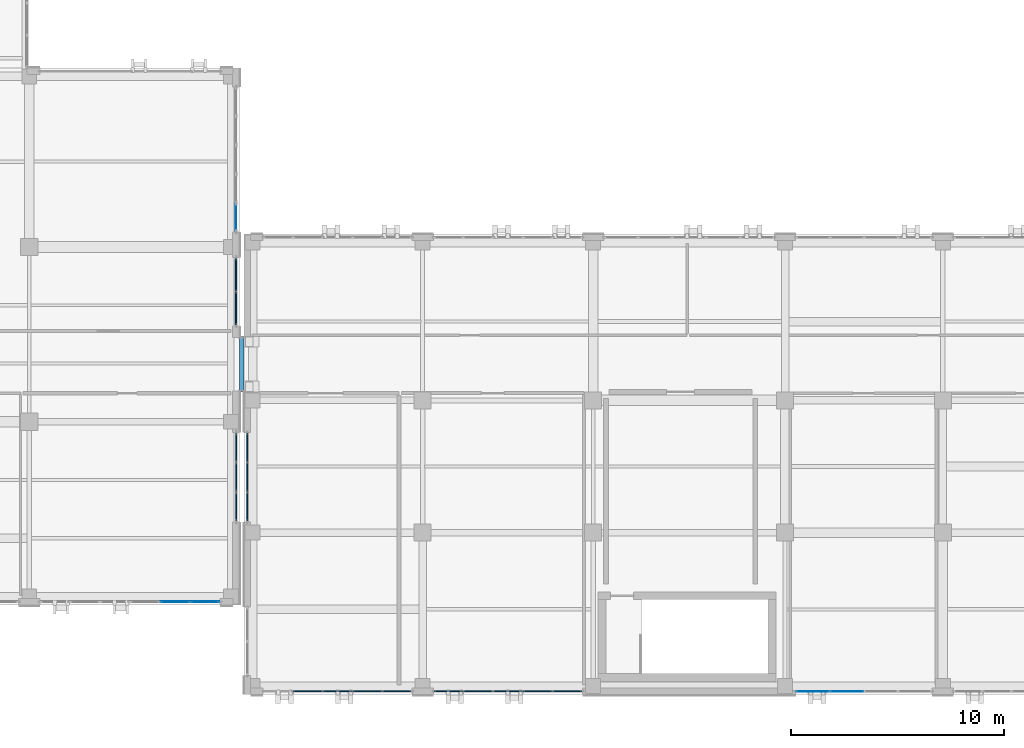
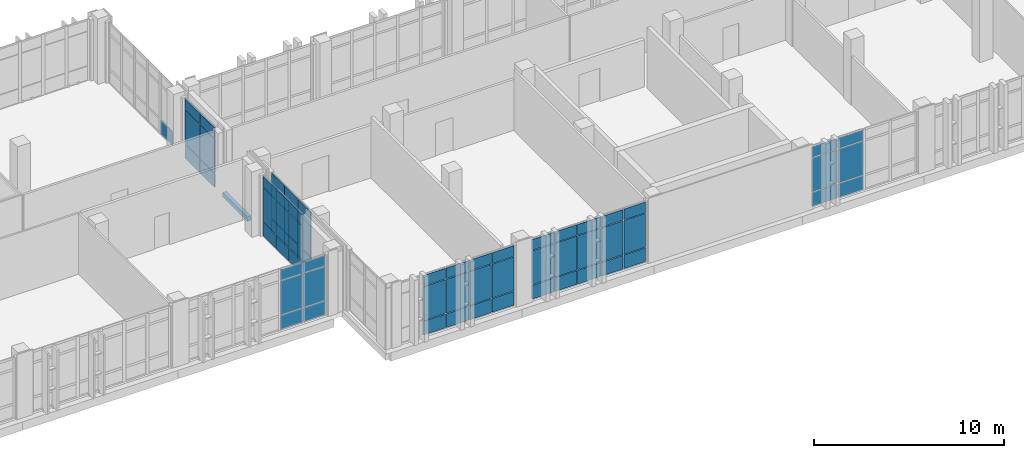
# One storey, part 138 of 193: 64 plates, 1 slab, 8 elements without a shape of their own.
"""IFC4 building model written with IfcOpenShell, lengths in metres."""

import ifcopenshell
import ifcopenshell.guid

model = None  # the IFC model being written
_history = None  # IfcOwnerHistory: only IFC2X3 demands one
_inside = {}  # id of a spatial element -> (the spatial element, [elements in it])
_under = {}  # id of a project, library or spatial element -> (it, [spatial elements below it])
_declared = {}  # id of a project -> (the project, [libraries it declares])
_typed = {}  # id of a type object -> (the type object, [elements of that type])
_made_of = {}  # id of a material, layer set ... -> (it, [elements and type objects made of it])


def new_model(schema):
    """Start an empty IFC model of exactly this schema.

    Asked for "IFC4X3", IfcOpenShell would pick the latest addendum, in which some entities
    have other attributes; the version numbers below select the first issue.
    IFC2X3 requires an IfcOwnerHistory on every rooted entity: one is made here for all.
    """
    global model, _history
    if schema == "IFC4X3":
        model = ifcopenshell.file(schema_version=(4, 3, 0, 0))
    else:
        model = ifcopenshell.file(schema=schema)
    _inside.clear()
    _under.clear()
    _declared.clear()
    _typed.clear()
    _made_of.clear()
    _history = None
    if model.schema == "IFC2X3":
        org = make("IfcOrganization", Name="unknown")
        user = make(
            "IfcPersonAndOrganization",
            ThePerson=make("IfcPerson", FamilyName="unknown"),
            TheOrganization=org,
        )
        app = make(
            "IfcApplication",
            ApplicationDeveloper=org,
            Version="unknown",
            ApplicationFullName="unknown",
            ApplicationIdentifier="unknown",
        )
        _history = make(
            "IfcOwnerHistory",
            OwningUser=user,
            OwningApplication=app,
            ChangeAction="ADDED",
            CreationDate=0,
        )
    return model


def make(cls, **values):
    """One entity of the class cls with the attributes given. An attribute that is None is left unset."""
    return model.create_entity(
        cls, **{name: value for name, value in values.items() if value is not None}
    )


def rooted(cls, **values):
    """An entity with a GlobalId (a new one), such as an element, a storey or a relation."""
    return make(cls, GlobalId=ifcopenshell.guid.new(), OwnerHistory=_history, **values)


def si_unit(unit_type, name, prefix=None):
    """IfcSIUnit, for example si_unit("LENGTHUNIT", "METRE", prefix="MILLI")."""
    return make("IfcSIUnit", UnitType=unit_type, Prefix=prefix, Name=name)


def assignment(units):
    """IfcUnitAssignment: the units of a project."""
    return None if units is None else make("IfcUnitAssignment", Units=units)


def point(xyz):
    """IfcCartesianPoint."""
    return None if xyz is None else make("IfcCartesianPoint", Coordinates=xyz)


def direction(xyz):
    """IfcDirection."""
    return None if xyz is None else make("IfcDirection", DirectionRatios=xyz)


def frame(location, z_axis=None, x_axis=None):
    """IfcAxis2Placement3D, a coordinate frame: its origin and axes. An axis left out is left unset."""
    return make(
        "IfcAxis2Placement3D",
        Location=point(location),
        Axis=direction(z_axis),
        RefDirection=direction(x_axis),
    )


def frame_2d(location, x_axis=None):
    """IfcAxis2Placement2D, a coordinate frame in the plane: its origin and x axis."""
    return make(
        "IfcAxis2Placement2D", Location=point(location), RefDirection=direction(x_axis)
    )


def origin():
    """The frame at (0, 0, 0) with its axes left unset."""
    return frame((0.0, 0.0, 0.0))


def origin_2d():
    """The frame at (0, 0) in the plane with its x axis left unset."""
    return frame_2d((0.0, 0.0))


def place(relative_to, where):
    """IfcLocalPlacement: puts the frame where relative to a parent placement (None: the world)."""
    return make(
        "IfcLocalPlacement", PlacementRelTo=relative_to, RelativePlacement=where
    )


def context(
    kind, dimensions, precision=None, world=None, true_north=None, identifier=None
):
    """IfcGeometricRepresentationContext, for example the 3D "Model" context."""
    return make(
        "IfcGeometricRepresentationContext",
        ContextIdentifier=identifier,
        ContextType=kind,
        CoordinateSpaceDimension=dimensions,
        Precision=precision,
        WorldCoordinateSystem=world,
        TrueNorth=true_north,
    )


def subcontext(parent, identifier, kind, view, scale=None):
    """IfcGeometricRepresentationSubContext, for example "Body" below "Model"."""
    return make(
        "IfcGeometricRepresentationSubContext",
        ContextIdentifier=identifier,
        ContextType=kind,
        ParentContext=parent,
        TargetScale=scale,
        TargetView=view,
    )


def project(units=None, contexts=None):
    """IfcProject with its units and contexts."""
    return rooted(
        "IfcProject",
        Name="project",
        RepresentationContexts=contexts,
        UnitsInContext=assignment(units),
    )


def spatial(cls, under=None, at=None, **own):
    """A site, building, storey or space (cls), placed at a placement, below another one or the project."""
    s = rooted(cls, ObjectPlacement=at, **own)
    if under is not None:
        _under.setdefault(under.id(), (under, []))[1].append(s)
    return s


def polyline(points):
    """IfcPolyline through the points."""
    return make("IfcPolyline", Points=[point(p) for p in points])


def profile(cls, at=None, kind="AREA", **sizes):
    """A parametric profile (cls). Its sizes go by their IFC names, for example OverallWidth=200.0."""
    return make(cls, ProfileType=kind, Position=at, **sizes)


def rectangle(**sizes):
    """IfcRectangleProfileDef."""
    return profile("IfcRectangleProfileDef", **sizes)


def outline(outer, holes=None, kind="AREA"):
    """IfcArbitraryClosedProfileDef: a profile drawn as a closed curve; with holes, ...WithVoids."""
    if holes is None:
        return make("IfcArbitraryClosedProfileDef", ProfileType=kind, OuterCurve=outer)
    return make(
        "IfcArbitraryProfileDefWithVoids",
        ProfileType=kind,
        OuterCurve=outer,
        InnerCurves=holes,
    )


def extrude(swept, where, along, depth):
    """IfcExtrudedAreaSolid: the profile swept, set in the frame where, extruded along a direction by depth."""
    return make(
        "IfcExtrudedAreaSolid",
        SweptArea=swept,
        Position=where,
        ExtrudedDirection=direction(along),
        Depth=depth,
    )


def shape(context_of_items, identifier, shape_type, items):
    """IfcShapeRepresentation: the items that make up one representation, for example the "Body"."""
    return make(
        "IfcShapeRepresentation",
        ContextOfItems=context_of_items,
        RepresentationIdentifier=identifier,
        RepresentationType=shape_type,
        Items=items,
    )


def material(Name=None, Category=None):
    """IfcMaterial."""
    return make("IfcMaterial", Name=Name, Category=Category)


def layer(
    of_material, thickness, ventilated=None, Name=None, Category=None, Priority=None
):
    """IfcMaterialLayer: one layer of a wall or slab, of a material (None: an air gap)."""
    return make(
        "IfcMaterialLayer",
        Material=of_material,
        LayerThickness=thickness,
        IsVentilated=ventilated,
        Name=Name,
        Category=Category,
        Priority=Priority,
    )


def layer_set(layers, Name=None):
    """IfcMaterialLayerSet."""
    return make("IfcMaterialLayerSet", MaterialLayers=layers, LayerSetName=Name)


def made_of(thing, what):
    """Note that an element or type object is made of a material, layer set ...; save() writes the relation."""
    if what is not None:
        _made_of.setdefault(what.id(), (what, []))[1].append(thing)
    return thing


def type_object(cls, material=None, **own):
    """A type object (cls), such as IfcWallType, which elements share."""
    return made_of(rooted(cls, **own), material)


def element(
    cls,
    number,
    at=None,
    inside=None,
    cuts=None,
    type_object=None,
    material=None,
    context=None,
    identifier="Body",
    shape_type=None,
    held_by="IfcProductDefinitionShape",
    body=None,
    shapes=None,
    **own,
):
    """One element of the class cls, such as IfcWall. Its Tag is "e" and its number.

    at: its placement. inside: the storey or other place that contains it. cuts: it is an
    opening in that element (IfcRelVoidsElement). A single representation is given by context,
    identifier, shape_type and body (its items); several are given by shapes. held_by: the class
    of the entity that holds the representations. save() writes the other relations.
    """
    e = rooted(cls, Tag="e%d" % number, ObjectPlacement=at, **own)
    if body is not None:
        shapes = [shape(context, identifier, shape_type, body)]
    if shapes is not None:
        e.Representation = make(held_by, Representations=shapes)
    if inside is not None:
        _inside.setdefault(inside.id(), (inside, []))[1].append(e)
    if cuts is not None:
        rooted(
            "IfcRelVoidsElement", RelatingBuildingElement=cuts, RelatedOpeningElement=e
        )
    if type_object is not None:
        _typed.setdefault(type_object.id(), (type_object, []))[1].append(e)
    return made_of(e, material)


def aggregate(whole, parts):
    """IfcRelAggregates: a whole, such as a stair, and the parts it consists of."""
    return rooted("IfcRelAggregates", RelatingObject=whole, RelatedObjects=parts)


def save(model, path):
    """Write the relations noted so far, then the file.

    IfcRelAggregates (storeys below a building ...), IfcRelContainedInSpatialStructure (elements
    in a storey), IfcRelDefinesByType, IfcRelAssociatesMaterial and IfcRelDeclares: one each for
    every whole, place, type object, material and project.
    """
    for whole, parts in _under.values():
        aggregate(whole, parts)
    for where, things in _inside.values():
        rooted(
            "IfcRelContainedInSpatialStructure",
            RelatedElements=things,
            RelatingStructure=where,
        )
    for kind, things in _typed.values():
        rooted("IfcRelDefinesByType", RelatedObjects=things, RelatingType=kind)
    for what, things in _made_of.values():
        rooted("IfcRelAssociatesMaterial", RelatedObjects=things, RelatingMaterial=what)
    for by, libraries in _declared.values():
        rooted("IfcRelDeclares", RelatingContext=by, RelatedDefinitions=libraries)
    model.write(path)


model = new_model("IFC4")

# Units and contexts
model_context = context("Model", 3, precision=1e-05, world=origin(), true_north=direction((0.0, 1.0)))
body_context = subcontext(model_context, "Body", "Model", "MODEL_VIEW")
ifc_project = project(units=[si_unit("LENGTHUNIT", "METRE"), si_unit("AREAUNIT", "SQUARE_METRE"), si_unit("VOLUMEUNIT", "CUBIC_METRE"), si_unit("PLANEANGLEUNIT", "RADIAN"), si_unit("MASSUNIT", "GRAM", prefix="KILO")], contexts=[model_context])

# Site, building, storey
site_placement = place(None, origin())
site = spatial("IfcSite", under=ifc_project, at=site_placement, CompositionType="ELEMENT")
building_placement = place(site_placement, origin())
building = spatial("IfcBuilding", under=site, at=building_placement, Name="Qalavern Law Courts", CompositionType="ELEMENT")
storey_placement = place(building_placement, frame((0.0, 0.0, 10.199951171875)))
storey = spatial("IfcBuildingStorey", under=building, at=storey_placement, Name="L02", CompositionType="ELEMENT", Elevation=10.199951171875)

# Curtain wall, plate
ifc_material_1 = material(Name="Anodised aluminium and insulated glazing", Category="aluminium")
ifc_layer_1 = layer(ifc_material_1, 0.18505859375)
ifc_layer_set_1 = layer_set([ifc_layer_1], Name="Anodised aluminium and insulated glazing")
curtain_wall_type_1 = type_object("IfcCurtainWallType", Name="ENV-CW-HALL", PredefinedType="USERDEFINED", material=ifc_layer_set_1)
curtain_wall_1_placement = place(storey_placement, origin())
curtain_wall_1 = element("IfcCurtainWall", 1, at=curtain_wall_1_placement, inside=storey, type_object=curtain_wall_type_1, Name="V2 unitised curtain wall L02 east 2", ObjectType="UNITISED CURTAIN WALL", PredefinedType="USERDEFINED")
ifc_material_2 = material(Name="Insulated low-E acoustic glazing", Category="glass")
ifc_layer_2 = layer(ifc_material_2, 0.02392578125)
ifc_layer_set_2 = layer_set([ifc_layer_2], Name="Insulated low-E acoustic glazing")
plate_type_1 = type_object("IfcPlateType", Name="ENV-CWP-24", PredefinedType="CURTAIN_PANEL", material=ifc_layer_set_2)
plate_1_placement = place(storey_placement, frame((101.044921875, 23.39208984375, 0.048095703125), z_axis=(0.0, 0.0, 1.0), x_axis=(0.0, 1.0, 0.0)))
plate_1 = element("IfcPlate", 2, at=plate_1_placement, type_object=plate_type_1, Name="CW-02 panel 1.1", PredefinedType="CURTAIN_PANEL", context=body_context, shape_type="SweptSolid", body=[
    extrude(rectangle(XDim=1.2880859375, YDim=0.02392578125, at=origin_2d()), origin(), (0.0, 0.0, 1.0), 0.8779296875),
])
aggregate(curtain_wall_1, [plate_1])

# Curtain wall, plates
ifc_layer_3 = layer(ifc_material_1, 0.172119140625)
ifc_layer_set_3 = layer_set([ifc_layer_3], Name="Anodised aluminium and insulated glazing")
curtain_wall_type_2 = type_object("IfcCurtainWallType", Name="ENV-CW-COURT", PredefinedType="USERDEFINED", material=ifc_layer_set_3)
curtain_wall_2_placement = place(storey_placement, origin())
curtain_wall_2 = element("IfcCurtainWall", 3, at=curtain_wall_2_placement, inside=storey, type_object=curtain_wall_type_2, Name="V6 unitised curtain wall L02 south 3", ObjectType="UNITISED CURTAIN WALL", PredefinedType="USERDEFINED")
plate_2_placement = place(storey_placement, frame((128.112060546875, 1.155029296875, 0.048095703125), z_axis=(0.0, 0.0, 1.0), x_axis=(1.0, 0.0, 0.0)))
plate_2 = element("IfcPlate", 4, at=plate_2_placement, type_object=plate_type_1, Name="CW-03 panel 1.1", PredefinedType="CURTAIN_PANEL", context=body_context, shape_type="SweptSolid", body=[
    extrude(rectangle(XDim=1.528076171875, YDim=0.02392578125, at=origin_2d()), origin(), (0.0, 0.0, 1.0), 0.8779296875),
])
plate_3_placement = place(storey_placement, frame((128.112060546875, 1.155029296875, 0.97412109375), z_axis=(0.0, 0.0, 1.0), x_axis=(1.0, 0.0, 0.0)))
plate_3 = element("IfcPlate", 5, at=plate_3_placement, type_object=plate_type_1, Name="CW-03 panel 1.2", PredefinedType="CURTAIN_PANEL", context=body_context, shape_type="SweptSolid", body=[
    extrude(rectangle(XDim=1.528076171875, YDim=0.02392578125, at=origin_2d()), origin(), (0.0, 0.0, 1.0), 2.1669921875),
])
plate_4_placement = place(storey_placement, frame((128.112060546875, 1.155029296875, 3.18896484375), z_axis=(0.0, 0.0, 1.0), x_axis=(1.0, 0.0, 0.0)))
plate_4 = element("IfcPlate", 6, at=plate_4_placement, type_object=plate_type_1, Name="CW-03 panel 1.3", PredefinedType="CURTAIN_PANEL", context=body_context, shape_type="SweptSolid", body=[
    extrude(rectangle(XDim=1.528076171875, YDim=0.02392578125, at=origin_2d()), origin(), (0.0, 0.0, 1.0), 0.677978515625),
])
plate_5_placement = place(storey_placement, frame((129.699951171875, 1.155029296875, 0.048095703125), z_axis=(0.0, 0.0, 1.0), x_axis=(1.0, 0.0, 0.0)))
plate_5 = element("IfcPlate", 7, at=plate_5_placement, type_object=plate_type_1, Name="CW-03 panel 2.1", PredefinedType="CURTAIN_PANEL", context=body_context, shape_type="SweptSolid", body=[
    extrude(rectangle(XDim=1.552001953125, YDim=0.02392578125, at=origin_2d()), origin(), (0.0, 0.0, 1.0), 0.8779296875),
])
plate_6_placement = place(storey_placement, frame((129.699951171875, 1.155029296875, 0.97412109375), z_axis=(0.0, 0.0, 1.0), x_axis=(1.0, 0.0, 0.0)))
plate_6 = element("IfcPlate", 8, at=plate_6_placement, type_object=plate_type_1, Name="CW-03 panel 2.2", PredefinedType="CURTAIN_PANEL", context=body_context, shape_type="SweptSolid", body=[
    extrude(rectangle(XDim=1.552001953125, YDim=0.02392578125, at=origin_2d()), origin(), (0.0, 0.0, 1.0), 2.1669921875),
])
plate_7_placement = place(storey_placement, frame((129.699951171875, 1.155029296875, 3.18896484375), z_axis=(0.0, 0.0, 1.0), x_axis=(1.0, 0.0, 0.0)))
plate_7 = element("IfcPlate", 9, at=plate_7_placement, type_object=plate_type_1, Name="CW-03 panel 2.3", PredefinedType="CURTAIN_PANEL", context=body_context, shape_type="SweptSolid", body=[
    extrude(rectangle(XDim=1.552001953125, YDim=0.02392578125, at=origin_2d()), origin(), (0.0, 0.0, 1.0), 0.677978515625),
])
aggregate(curtain_wall_2, [plate_2, plate_3, plate_4, plate_5, plate_6, plate_7])

curtain_wall_3_placement = place(storey_placement, origin())
curtain_wall_3 = element("IfcCurtainWall", 10, at=curtain_wall_3_placement, inside=storey, type_object=curtain_wall_type_1, Name="V2 unitised curtain wall L02 south 6", ObjectType="UNITISED CURTAIN WALL", PredefinedType="USERDEFINED")
ifc_layer_4 = layer(ifc_material_2, 0.035888671875)
ifc_layer_set_4 = layer_set([ifc_layer_4], Name="Insulated low-E acoustic glazing")
plate_type_2 = type_object("IfcPlateType", Name="ENV-CWP-36", PredefinedType="CURTAIN_PANEL", material=ifc_layer_set_4)
plate_8_placement = place(storey_placement, frame((98.1865234375, 5.35498046875, 0.048095703125), z_axis=(0.0, 0.0, 1.0), x_axis=(1.0, 0.0, 0.0)))
plate_8 = element("IfcPlate", 11, at=plate_8_placement, type_object=plate_type_2, Name="CW-02 panel 5.1", PredefinedType="CURTAIN_PANEL", context=body_context, shape_type="SweptSolid", body=[
    extrude(rectangle(XDim=1.361083984375, YDim=0.035888671875, at=origin_2d()), origin(), (0.0, 0.0, 1.0), 0.8779296875),
])
plate_9_placement = place(storey_placement, frame((98.1865234375, 5.35498046875, 0.97412109375), z_axis=(0.0, 0.0, 1.0), x_axis=(1.0, 0.0, 0.0)))
plate_9 = element("IfcPlate", 12, at=plate_9_placement, type_object=plate_type_2, Name="CW-02 panel 5.2", PredefinedType="CURTAIN_PANEL", context=body_context, shape_type="SweptSolid", body=[
    extrude(rectangle(XDim=1.361083984375, YDim=0.035888671875, at=origin_2d()), origin(), (0.0, 0.0, 1.0), 2.1669921875),
])
plate_10_placement = place(storey_placement, frame((98.1865234375, 5.35498046875, 3.18896484375), z_axis=(0.0, 0.0, 1.0), x_axis=(1.0, 0.0, 0.0)))
plate_10 = element("IfcPlate", 13, at=plate_10_placement, type_object=plate_type_2, Name="CW-02 panel 5.3", PredefinedType="CURTAIN_PANEL", context=body_context, shape_type="SweptSolid", body=[
    extrude(rectangle(XDim=1.361083984375, YDim=0.035888671875, at=origin_2d()), origin(), (0.0, 0.0, 1.0), 0.677978515625),
])
plate_11_placement = place(storey_placement, frame((99.58349609375, 5.35498046875, 0.048095703125), z_axis=(0.0, 0.0, 1.0), x_axis=(1.0, 0.0, 0.0)))
plate_11 = element("IfcPlate", 14, at=plate_11_placement, type_object=plate_type_2, Name="CW-02 panel 6.1", PredefinedType="CURTAIN_PANEL", context=body_context, shape_type="SweptSolid", body=[
    extrude(rectangle(XDim=1.337158203125, YDim=0.035888671875, at=origin_2d()), origin(), (0.0, 0.0, 1.0), 0.8779296875),
])
plate_12_placement = place(storey_placement, frame((99.58349609375, 5.35498046875, 0.97412109375), z_axis=(0.0, 0.0, 1.0), x_axis=(1.0, 0.0, 0.0)))
plate_12 = element("IfcPlate", 15, at=plate_12_placement, type_object=plate_type_2, Name="CW-02 panel 6.2", PredefinedType="CURTAIN_PANEL", context=body_context, shape_type="SweptSolid", body=[
    extrude(rectangle(XDim=1.337158203125, YDim=0.035888671875, at=origin_2d()), origin(), (0.0, 0.0, 1.0), 2.1669921875),
])
plate_13_placement = place(storey_placement, frame((99.58349609375, 5.35498046875, 3.18896484375), z_axis=(0.0, 0.0, 1.0), x_axis=(1.0, 0.0, 0.0)))
plate_13 = element("IfcPlate", 16, at=plate_13_placement, type_object=plate_type_2, Name="CW-02 panel 6.3", PredefinedType="CURTAIN_PANEL", context=body_context, shape_type="SweptSolid", body=[
    extrude(rectangle(XDim=1.337158203125, YDim=0.035888671875, at=origin_2d()), origin(), (0.0, 0.0, 1.0), 0.677978515625),
])
aggregate(curtain_wall_3, [plate_8, plate_9, plate_10, plate_11, plate_12, plate_13])

curtain_wall_4_placement = place(storey_placement, origin())
curtain_wall_4 = element("IfcCurtainWall", 17, at=curtain_wall_4_placement, inside=storey, type_object=curtain_wall_type_1, Name="V2 unitised curtain wall L02 east 1", ObjectType="UNITISED CURTAIN WALL", PredefinedType="USERDEFINED")
ifc_layer_5 = layer(ifc_material_2, 0.048095703125)
ifc_layer_set_5 = layer_set([ifc_layer_5], Name="Insulated low-E acoustic glazing")
plate_type_3 = type_object("IfcPlateType", Name="ENV-CWP-48", PredefinedType="CURTAIN_PANEL", material=ifc_layer_set_5)
plate_14_placement = place(storey_placement, frame((101.044921875, 9.81201171875, 0.048095703125), z_axis=(0.0, 0.0, 1.0), x_axis=(0.0, 1.0, 0.0)))
plate_14 = element("IfcPlate", 18, at=plate_14_placement, type_object=plate_type_3, Name="CW-02 panel 1.1", PredefinedType="CURTAIN_PANEL", context=body_context, shape_type="SweptSolid", body=[
    extrude(rectangle(XDim=1.327880859375, YDim=0.048095703125, at=origin_2d()), origin(), (0.0, 0.0, 1.0), 0.8779296875),
])
plate_15_placement = place(storey_placement, frame((101.044921875, 9.81201171875, 0.97412109375), z_axis=(0.0, 0.0, 1.0), x_axis=(0.0, 1.0, 0.0)))
plate_15 = element("IfcPlate", 19, at=plate_15_placement, type_object=plate_type_3, Name="CW-02 panel 1.2", PredefinedType="CURTAIN_PANEL", context=body_context, shape_type="SweptSolid", body=[
    extrude(rectangle(XDim=1.327880859375, YDim=0.048095703125, at=origin_2d()), origin(), (0.0, 0.0, 1.0), 2.1669921875),
])
plate_16_placement = place(storey_placement, frame((101.044921875, 9.81201171875, 3.18896484375), z_axis=(0.0, 0.0, 1.0), x_axis=(0.0, 1.0, 0.0)))
plate_16 = element("IfcPlate", 20, at=plate_16_placement, type_object=plate_type_3, Name="CW-02 panel 1.3", PredefinedType="CURTAIN_PANEL", context=body_context, shape_type="SweptSolid", body=[
    extrude(rectangle(XDim=1.327880859375, YDim=0.048095703125, at=origin_2d()), origin(), (0.0, 0.0, 1.0), 0.677978515625),
])
plate_17_placement = place(storey_placement, frame((101.044921875, 11.199951171875, 0.048095703125), z_axis=(0.0, 0.0, 1.0), x_axis=(0.0, 1.0, 0.0)))
plate_17 = element("IfcPlate", 21, at=plate_17_placement, type_object=plate_type_3, Name="CW-02 panel 2.1", PredefinedType="CURTAIN_PANEL", context=body_context, shape_type="SweptSolid", body=[
    extrude(rectangle(XDim=1.35205078125, YDim=0.048095703125, at=origin_2d()), origin(), (0.0, 0.0, 1.0), 0.8779296875),
])
plate_18_placement = place(storey_placement, frame((101.044921875, 11.199951171875, 0.97412109375), z_axis=(0.0, 0.0, 1.0), x_axis=(0.0, 1.0, 0.0)))
plate_18 = element("IfcPlate", 22, at=plate_18_placement, type_object=plate_type_3, Name="CW-02 panel 2.2", PredefinedType="CURTAIN_PANEL", context=body_context, shape_type="SweptSolid", body=[
    extrude(rectangle(XDim=1.35205078125, YDim=0.048095703125, at=origin_2d()), origin(), (0.0, 0.0, 1.0), 2.1669921875),
])
plate_19_placement = place(storey_placement, frame((101.044921875, 11.199951171875, 3.18896484375), z_axis=(0.0, 0.0, 1.0), x_axis=(0.0, 1.0, 0.0)))
plate_19 = element("IfcPlate", 23, at=plate_19_placement, type_object=plate_type_3, Name="CW-02 panel 2.3", PredefinedType="CURTAIN_PANEL", context=body_context, shape_type="SweptSolid", body=[
    extrude(rectangle(XDim=1.35205078125, YDim=0.048095703125, at=origin_2d()), origin(), (0.0, 0.0, 1.0), 0.677978515625),
])
plate_20_placement = place(storey_placement, frame((101.044921875, 12.587890625, 0.048095703125), z_axis=(0.0, 0.0, 1.0), x_axis=(0.0, 1.0, 0.0)))
plate_20 = element("IfcPlate", 24, at=plate_20_placement, type_object=plate_type_3, Name="CW-02 panel 3.1", PredefinedType="CURTAIN_PANEL", context=body_context, shape_type="SweptSolid", body=[
    extrude(rectangle(XDim=1.327880859375, YDim=0.048095703125, at=origin_2d()), origin(), (0.0, 0.0, 1.0), 0.8779296875),
])
plate_21_placement = place(storey_placement, frame((101.044921875, 12.587890625, 0.97412109375), z_axis=(0.0, 0.0, 1.0), x_axis=(0.0, 1.0, 0.0)))
plate_21 = element("IfcPlate", 25, at=plate_21_placement, type_object=plate_type_3, Name="CW-02 panel 3.2", PredefinedType="CURTAIN_PANEL", context=body_context, shape_type="SweptSolid", body=[
    extrude(rectangle(XDim=1.327880859375, YDim=0.048095703125, at=origin_2d()), origin(), (0.0, 0.0, 1.0), 2.1669921875),
])
plate_22_placement = place(storey_placement, frame((101.044921875, 12.587890625, 3.18896484375), z_axis=(0.0, 0.0, 1.0), x_axis=(0.0, 1.0, 0.0)))
plate_22 = element("IfcPlate", 26, at=plate_22_placement, type_object=plate_type_3, Name="CW-02 panel 3.3", PredefinedType="CURTAIN_PANEL", context=body_context, shape_type="SweptSolid", body=[
    extrude(rectangle(XDim=1.327880859375, YDim=0.048095703125, at=origin_2d()), origin(), (0.0, 0.0, 1.0), 0.677978515625),
])
aggregate(curtain_wall_4, [plate_14, plate_15, plate_16, plate_17, plate_18, plate_19, plate_20, plate_21, plate_22])

curtain_wall_5_placement = place(storey_placement, origin())
curtain_wall_5 = element("IfcCurtainWall", 27, at=curtain_wall_5_placement, inside=storey, type_object=curtain_wall_type_2, Name="V6 unitised curtain wall L02 south 1", ObjectType="UNITISED CURTAIN WALL", PredefinedType="USERDEFINED")
plate_23_placement = place(storey_placement, frame((104.4140625, 1.155029296875, 0.048095703125), z_axis=(0.0, 0.0, 1.0), x_axis=(1.0, 0.0, 0.0)))
plate_23 = element("IfcPlate", 28, at=plate_23_placement, type_object=plate_type_3, Name="CW-03 panel 2.1", PredefinedType="CURTAIN_PANEL", context=body_context, shape_type="SweptSolid", body=[
    extrude(rectangle(XDim=1.347900390625, YDim=0.048095703125, at=origin_2d()), origin(), (0.0, 0.0, 1.0), 0.8779296875),
])
plate_24_placement = place(storey_placement, frame((104.4140625, 1.155029296875, 0.97412109375), z_axis=(0.0, 0.0, 1.0), x_axis=(1.0, 0.0, 0.0)))
plate_24 = element("IfcPlate", 29, at=plate_24_placement, type_object=plate_type_3, Name="CW-03 panel 2.2", PredefinedType="CURTAIN_PANEL", context=body_context, shape_type="SweptSolid", body=[
    extrude(rectangle(XDim=1.347900390625, YDim=0.048095703125, at=origin_2d()), origin(), (0.0, 0.0, 1.0), 2.1669921875),
])
plate_25_placement = place(storey_placement, frame((104.4140625, 1.155029296875, 3.18896484375), z_axis=(0.0, 0.0, 1.0), x_axis=(1.0, 0.0, 0.0)))
plate_25 = element("IfcPlate", 30, at=plate_25_placement, type_object=plate_type_3, Name="CW-03 panel 2.3", PredefinedType="CURTAIN_PANEL", context=body_context, shape_type="SweptSolid", body=[
    extrude(rectangle(XDim=1.347900390625, YDim=0.048095703125, at=origin_2d()), origin(), (0.0, 0.0, 1.0), 0.677978515625),
])
plate_26_placement = place(storey_placement, frame((105.81005859375, 1.155029296875, 0.048095703125), z_axis=(0.0, 0.0, 1.0), x_axis=(1.0, 0.0, 0.0)))
plate_26 = element("IfcPlate", 31, at=plate_26_placement, type_object=plate_type_3, Name="CW-03 panel 3.1", PredefinedType="CURTAIN_PANEL", context=body_context, shape_type="SweptSolid", body=[
    extrude(rectangle(XDim=1.347900390625, YDim=0.048095703125, at=origin_2d()), origin(), (0.0, 0.0, 1.0), 0.8779296875),
])
plate_27_placement = place(storey_placement, frame((105.81005859375, 1.155029296875, 0.97412109375), z_axis=(0.0, 0.0, 1.0), x_axis=(1.0, 0.0, 0.0)))
plate_27 = element("IfcPlate", 32, at=plate_27_placement, type_object=plate_type_3, Name="CW-03 panel 3.2", PredefinedType="CURTAIN_PANEL", context=body_context, shape_type="SweptSolid", body=[
    extrude(rectangle(XDim=1.347900390625, YDim=0.048095703125, at=origin_2d()), origin(), (0.0, 0.0, 1.0), 2.1669921875),
])
plate_28_placement = place(storey_placement, frame((105.81005859375, 1.155029296875, 3.18896484375), z_axis=(0.0, 0.0, 1.0), x_axis=(1.0, 0.0, 0.0)))
plate_28 = element("IfcPlate", 33, at=plate_28_placement, type_object=plate_type_3, Name="CW-03 panel 3.3", PredefinedType="CURTAIN_PANEL", context=body_context, shape_type="SweptSolid", body=[
    extrude(rectangle(XDim=1.347900390625, YDim=0.048095703125, at=origin_2d()), origin(), (0.0, 0.0, 1.0), 0.677978515625),
])
plate_29_placement = place(storey_placement, frame((107.2060546875, 1.155029296875, 0.048095703125), z_axis=(0.0, 0.0, 1.0), x_axis=(1.0, 0.0, 0.0)))
plate_29 = element("IfcPlate", 34, at=plate_29_placement, type_object=plate_type_3, Name="CW-03 panel 4.1", PredefinedType="CURTAIN_PANEL", context=body_context, shape_type="SweptSolid", body=[
    extrude(rectangle(XDim=1.347900390625, YDim=0.048095703125, at=origin_2d()), origin(), (0.0, 0.0, 1.0), 0.8779296875),
])
plate_30_placement = place(storey_placement, frame((107.2060546875, 1.155029296875, 0.97412109375), z_axis=(0.0, 0.0, 1.0), x_axis=(1.0, 0.0, 0.0)))
plate_30 = element("IfcPlate", 35, at=plate_30_placement, type_object=plate_type_3, Name="CW-03 panel 4.2", PredefinedType="CURTAIN_PANEL", context=body_context, shape_type="SweptSolid", body=[
    extrude(rectangle(XDim=1.347900390625, YDim=0.048095703125, at=origin_2d()), origin(), (0.0, 0.0, 1.0), 2.1669921875),
])
plate_31_placement = place(storey_placement, frame((107.2060546875, 1.155029296875, 3.18896484375), z_axis=(0.0, 0.0, 1.0), x_axis=(1.0, 0.0, 0.0)))
plate_31 = element("IfcPlate", 36, at=plate_31_placement, type_object=plate_type_3, Name="CW-03 panel 4.3", PredefinedType="CURTAIN_PANEL", context=body_context, shape_type="SweptSolid", body=[
    extrude(rectangle(XDim=1.347900390625, YDim=0.048095703125, at=origin_2d()), origin(), (0.0, 0.0, 1.0), 0.677978515625),
])
plate_32_placement = place(storey_placement, frame((108.590087890625, 1.155029296875, 0.048095703125), z_axis=(0.0, 0.0, 1.0), x_axis=(1.0, 0.0, 0.0)))
plate_32 = element("IfcPlate", 37, at=plate_32_placement, type_object=plate_type_3, Name="CW-03 panel 5.1", PredefinedType="CURTAIN_PANEL", context=body_context, shape_type="SweptSolid", body=[
    extrude(rectangle(XDim=1.323974609375, YDim=0.048095703125, at=origin_2d()), origin(), (0.0, 0.0, 1.0), 0.8779296875),
])
plate_33_placement = place(storey_placement, frame((108.590087890625, 1.155029296875, 0.97412109375), z_axis=(0.0, 0.0, 1.0), x_axis=(1.0, 0.0, 0.0)))
plate_33 = element("IfcPlate", 38, at=plate_33_placement, type_object=plate_type_3, Name="CW-03 panel 5.2", PredefinedType="CURTAIN_PANEL", context=body_context, shape_type="SweptSolid", body=[
    extrude(rectangle(XDim=1.323974609375, YDim=0.048095703125, at=origin_2d()), origin(), (0.0, 0.0, 1.0), 2.1669921875),
])
plate_34_placement = place(storey_placement, frame((108.590087890625, 1.155029296875, 3.18896484375), z_axis=(0.0, 0.0, 1.0), x_axis=(1.0, 0.0, 0.0)))
plate_34 = element("IfcPlate", 39, at=plate_34_placement, type_object=plate_type_3, Name="CW-03 panel 5.3", PredefinedType="CURTAIN_PANEL", context=body_context, shape_type="SweptSolid", body=[
    extrude(rectangle(XDim=1.323974609375, YDim=0.048095703125, at=origin_2d()), origin(), (0.0, 0.0, 1.0), 0.677978515625),
])
aggregate(curtain_wall_5, [plate_23, plate_24, plate_25, plate_26, plate_27, plate_28, plate_29, plate_30, plate_31, plate_32, plate_33, plate_34])

curtain_wall_6_placement = place(storey_placement, origin())
curtain_wall_6 = element("IfcCurtainWall", 40, at=curtain_wall_6_placement, inside=storey, type_object=curtain_wall_type_1, Name="V2 unitised curtain wall L02 east 1", ObjectType="UNITISED CURTAIN WALL", PredefinedType="USERDEFINED")
ifc_layer_6 = layer(ifc_material_2, 0.052001953125)
ifc_layer_set_6 = layer_set([ifc_layer_6], Name="Insulated low-E acoustic glazing")
plate_type_4 = type_object("IfcPlateType", Name="ENV-CWP-52", PredefinedType="CURTAIN_PANEL", material=ifc_layer_set_6)
plate_35_placement = place(storey_placement, frame((101.044921875, 19.112060546875, 0.048095703125), z_axis=(0.0, 0.0, 1.0), x_axis=(0.0, 1.0, 0.0)))
plate_35 = element("IfcPlate", 41, at=plate_35_placement, type_object=plate_type_4, Name="CW-02 panel 1.1", PredefinedType="CURTAIN_PANEL", context=body_context, shape_type="SweptSolid", body=[
    extrude(rectangle(XDim=1.528076171875, YDim=0.052001953125, at=origin_2d()), origin(), (0.0, 0.0, 1.0), 0.8779296875),
])
plate_36_placement = place(storey_placement, frame((101.044921875, 19.112060546875, 0.97412109375), z_axis=(0.0, 0.0, 1.0), x_axis=(0.0, 1.0, 0.0)))
plate_36 = element("IfcPlate", 42, at=plate_36_placement, type_object=plate_type_4, Name="CW-02 panel 1.2", PredefinedType="CURTAIN_PANEL", context=body_context, shape_type="SweptSolid", body=[
    extrude(rectangle(XDim=1.528076171875, YDim=0.052001953125, at=origin_2d()), origin(), (0.0, 0.0, 1.0), 2.1669921875),
])
plate_37_placement = place(storey_placement, frame((101.044921875, 19.112060546875, 3.18896484375), z_axis=(0.0, 0.0, 1.0), x_axis=(0.0, 1.0, 0.0)))
plate_37 = element("IfcPlate", 43, at=plate_37_placement, type_object=plate_type_4, Name="CW-02 panel 1.3", PredefinedType="CURTAIN_PANEL", context=body_context, shape_type="SweptSolid", body=[
    extrude(rectangle(XDim=1.528076171875, YDim=0.052001953125, at=origin_2d()), origin(), (0.0, 0.0, 1.0), 0.677978515625),
])
plate_38_placement = place(storey_placement, frame((101.044921875, 20.68798828125, 0.048095703125), z_axis=(0.0, 0.0, 1.0), x_axis=(0.0, 1.0, 0.0)))
plate_38 = element("IfcPlate", 44, at=plate_38_placement, type_object=plate_type_4, Name="CW-02 panel 2.1", PredefinedType="CURTAIN_PANEL", context=body_context, shape_type="SweptSolid", body=[
    extrude(rectangle(XDim=1.528076171875, YDim=0.052001953125, at=origin_2d()), origin(), (0.0, 0.0, 1.0), 0.8779296875),
])
plate_39_placement = place(storey_placement, frame((101.044921875, 20.68798828125, 0.97412109375), z_axis=(0.0, 0.0, 1.0), x_axis=(0.0, 1.0, 0.0)))
plate_39 = element("IfcPlate", 45, at=plate_39_placement, type_object=plate_type_4, Name="CW-02 panel 2.2", PredefinedType="CURTAIN_PANEL", context=body_context, shape_type="SweptSolid", body=[
    extrude(rectangle(XDim=1.528076171875, YDim=0.052001953125, at=origin_2d()), origin(), (0.0, 0.0, 1.0), 2.1669921875),
])
plate_40_placement = place(storey_placement, frame((101.044921875, 20.68798828125, 3.18896484375), z_axis=(0.0, 0.0, 1.0), x_axis=(0.0, 1.0, 0.0)))
plate_40 = element("IfcPlate", 46, at=plate_40_placement, type_object=plate_type_4, Name="CW-02 panel 2.3", PredefinedType="CURTAIN_PANEL", context=body_context, shape_type="SweptSolid", body=[
    extrude(rectangle(XDim=1.528076171875, YDim=0.052001953125, at=origin_2d()), origin(), (0.0, 0.0, 1.0), 0.677978515625),
])
aggregate(curtain_wall_6, [plate_35, plate_36, plate_37, plate_38, plate_39, plate_40])

curtain_wall_7_placement = place(storey_placement, origin())
curtain_wall_7 = element("IfcCurtainWall", 47, at=curtain_wall_7_placement, inside=storey, type_object=curtain_wall_type_2, Name="V6 unitised curtain wall L02 south 2", ObjectType="UNITISED CURTAIN WALL", PredefinedType="USERDEFINED")
plate_41_placement = place(storey_placement, frame((111.011962890625, 1.155029296875, 0.048095703125), z_axis=(0.0, 0.0, 1.0), x_axis=(1.0, 0.0, 0.0)))
plate_41 = element("IfcPlate", 48, at=plate_41_placement, type_object=plate_type_4, Name="CW-03 panel 1.1", PredefinedType="CURTAIN_PANEL", context=body_context, shape_type="SweptSolid", body=[
    extrude(rectangle(XDim=1.327880859375, YDim=0.052001953125, at=origin_2d()), origin(), (0.0, 0.0, 1.0), 0.8779296875),
])
plate_42_placement = place(storey_placement, frame((111.011962890625, 1.155029296875, 0.97412109375), z_axis=(0.0, 0.0, 1.0), x_axis=(1.0, 0.0, 0.0)))
plate_42 = element("IfcPlate", 49, at=plate_42_placement, type_object=plate_type_4, Name="CW-03 panel 1.2", PredefinedType="CURTAIN_PANEL", context=body_context, shape_type="SweptSolid", body=[
    extrude(rectangle(XDim=1.327880859375, YDim=0.052001953125, at=origin_2d()), origin(), (0.0, 0.0, 1.0), 2.1669921875),
])
plate_43_placement = place(storey_placement, frame((111.011962890625, 1.155029296875, 3.18896484375), z_axis=(0.0, 0.0, 1.0), x_axis=(1.0, 0.0, 0.0)))
plate_43 = element("IfcPlate", 50, at=plate_43_placement, type_object=plate_type_4, Name="CW-03 panel 1.3", PredefinedType="CURTAIN_PANEL", context=body_context, shape_type="SweptSolid", body=[
    extrude(rectangle(XDim=1.327880859375, YDim=0.052001953125, at=origin_2d()), origin(), (0.0, 0.0, 1.0), 0.677978515625),
])
plate_44_placement = place(storey_placement, frame((112.39990234375, 1.155029296875, 0.048095703125), z_axis=(0.0, 0.0, 1.0), x_axis=(1.0, 0.0, 0.0)))
plate_44 = element("IfcPlate", 51, at=plate_44_placement, type_object=plate_type_4, Name="CW-03 panel 2.1", PredefinedType="CURTAIN_PANEL", context=body_context, shape_type="SweptSolid", body=[
    extrude(rectangle(XDim=1.35205078125, YDim=0.052001953125, at=origin_2d()), origin(), (0.0, 0.0, 1.0), 0.8779296875),
])
plate_45_placement = place(storey_placement, frame((112.39990234375, 1.155029296875, 0.97412109375), z_axis=(0.0, 0.0, 1.0), x_axis=(1.0, 0.0, 0.0)))
plate_45 = element("IfcPlate", 52, at=plate_45_placement, type_object=plate_type_4, Name="CW-03 panel 2.2", PredefinedType="CURTAIN_PANEL", context=body_context, shape_type="SweptSolid", body=[
    extrude(rectangle(XDim=1.35205078125, YDim=0.052001953125, at=origin_2d()), origin(), (0.0, 0.0, 1.0), 2.1669921875),
])
plate_46_placement = place(storey_placement, frame((112.39990234375, 1.155029296875, 3.18896484375), z_axis=(0.0, 0.0, 1.0), x_axis=(1.0, 0.0, 0.0)))
plate_46 = element("IfcPlate", 53, at=plate_46_placement, type_object=plate_type_4, Name="CW-03 panel 2.3", PredefinedType="CURTAIN_PANEL", context=body_context, shape_type="SweptSolid", body=[
    extrude(rectangle(XDim=1.35205078125, YDim=0.052001953125, at=origin_2d()), origin(), (0.0, 0.0, 1.0), 0.677978515625),
])
plate_47_placement = place(storey_placement, frame((113.800048828125, 1.155029296875, 0.048095703125), z_axis=(0.0, 0.0, 1.0), x_axis=(1.0, 0.0, 0.0)))
plate_47 = element("IfcPlate", 54, at=plate_47_placement, type_object=plate_type_4, Name="CW-03 panel 3.1", PredefinedType="CURTAIN_PANEL", context=body_context, shape_type="SweptSolid", body=[
    extrude(rectangle(XDim=1.35205078125, YDim=0.052001953125, at=origin_2d()), origin(), (0.0, 0.0, 1.0), 0.8779296875),
])
plate_48_placement = place(storey_placement, frame((113.800048828125, 1.155029296875, 0.97412109375), z_axis=(0.0, 0.0, 1.0), x_axis=(1.0, 0.0, 0.0)))
plate_48 = element("IfcPlate", 55, at=plate_48_placement, type_object=plate_type_4, Name="CW-03 panel 3.2", PredefinedType="CURTAIN_PANEL", context=body_context, shape_type="SweptSolid", body=[
    extrude(rectangle(XDim=1.35205078125, YDim=0.052001953125, at=origin_2d()), origin(), (0.0, 0.0, 1.0), 2.1669921875),
])
plate_49_placement = place(storey_placement, frame((113.800048828125, 1.155029296875, 3.18896484375), z_axis=(0.0, 0.0, 1.0), x_axis=(1.0, 0.0, 0.0)))
plate_49 = element("IfcPlate", 56, at=plate_49_placement, type_object=plate_type_4, Name="CW-03 panel 3.3", PredefinedType="CURTAIN_PANEL", context=body_context, shape_type="SweptSolid", body=[
    extrude(rectangle(XDim=1.35205078125, YDim=0.052001953125, at=origin_2d()), origin(), (0.0, 0.0, 1.0), 0.677978515625),
])
plate_50_placement = place(storey_placement, frame((115.199951171875, 1.155029296875, 0.048095703125), z_axis=(0.0, 0.0, 1.0), x_axis=(1.0, 0.0, 0.0)))
plate_50 = element("IfcPlate", 57, at=plate_50_placement, type_object=plate_type_4, Name="CW-03 panel 4.1", PredefinedType="CURTAIN_PANEL", context=body_context, shape_type="SweptSolid", body=[
    extrude(rectangle(XDim=1.35205078125, YDim=0.052001953125, at=origin_2d()), origin(), (0.0, 0.0, 1.0), 0.8779296875),
])
plate_51_placement = place(storey_placement, frame((115.199951171875, 1.155029296875, 0.97412109375), z_axis=(0.0, 0.0, 1.0), x_axis=(1.0, 0.0, 0.0)))
plate_51 = element("IfcPlate", 58, at=plate_51_placement, type_object=plate_type_4, Name="CW-03 panel 4.2", PredefinedType="CURTAIN_PANEL", context=body_context, shape_type="SweptSolid", body=[
    extrude(rectangle(XDim=1.35205078125, YDim=0.052001953125, at=origin_2d()), origin(), (0.0, 0.0, 1.0), 2.1669921875),
])
plate_52_placement = place(storey_placement, frame((115.199951171875, 1.155029296875, 3.18896484375), z_axis=(0.0, 0.0, 1.0), x_axis=(1.0, 0.0, 0.0)))
plate_52 = element("IfcPlate", 59, at=plate_52_placement, type_object=plate_type_4, Name="CW-03 panel 4.3", PredefinedType="CURTAIN_PANEL", context=body_context, shape_type="SweptSolid", body=[
    extrude(rectangle(XDim=1.35205078125, YDim=0.052001953125, at=origin_2d()), origin(), (0.0, 0.0, 1.0), 0.677978515625),
])
plate_53_placement = place(storey_placement, frame((116.587890625, 1.155029296875, 0.048095703125), z_axis=(0.0, 0.0, 1.0), x_axis=(1.0, 0.0, 0.0)))
plate_53 = element("IfcPlate", 60, at=plate_53_placement, type_object=plate_type_4, Name="CW-03 panel 5.1", PredefinedType="CURTAIN_PANEL", context=body_context, shape_type="SweptSolid", body=[
    extrude(rectangle(XDim=1.327880859375, YDim=0.052001953125, at=origin_2d()), origin(), (0.0, 0.0, 1.0), 0.8779296875),
])
plate_54_placement = place(storey_placement, frame((116.587890625, 1.155029296875, 0.97412109375), z_axis=(0.0, 0.0, 1.0), x_axis=(1.0, 0.0, 0.0)))
plate_54 = element("IfcPlate", 61, at=plate_54_placement, type_object=plate_type_4, Name="CW-03 panel 5.2", PredefinedType="CURTAIN_PANEL", context=body_context, shape_type="SweptSolid", body=[
    extrude(rectangle(XDim=1.327880859375, YDim=0.052001953125, at=origin_2d()), origin(), (0.0, 0.0, 1.0), 2.1669921875),
])
plate_55_placement = place(storey_placement, frame((116.587890625, 1.155029296875, 3.18896484375), z_axis=(0.0, 0.0, 1.0), x_axis=(1.0, 0.0, 0.0)))
plate_55 = element("IfcPlate", 62, at=plate_55_placement, type_object=plate_type_4, Name="CW-03 panel 5.3", PredefinedType="CURTAIN_PANEL", context=body_context, shape_type="SweptSolid", body=[
    extrude(rectangle(XDim=1.327880859375, YDim=0.052001953125, at=origin_2d()), origin(), (0.0, 0.0, 1.0), 0.677978515625),
])
aggregate(curtain_wall_7, [plate_41, plate_42, plate_43, plate_44, plate_45, plate_46, plate_47, plate_48, plate_49, plate_50, plate_51, plate_52, plate_53, plate_54, plate_55])

curtain_wall_8_placement = place(storey_placement, origin())
curtain_wall_8 = element("IfcCurtainWall", 63, at=curtain_wall_8_placement, inside=storey, type_object=curtain_wall_type_2, Name="V6 unitised curtain wall L02 west 1", ObjectType="UNITISED CURTAIN WALL", PredefinedType="USERDEFINED")
plate_56_placement = place(storey_placement, frame((101.574951171875, 12.587890625, 0.048095703125), z_axis=(0.0, 0.0, 1.0), x_axis=(0.0, -1.0, 0.0)))
plate_56 = element("IfcPlate", 64, at=plate_56_placement, type_object=plate_type_4, Name="CW-03 panel 1.1", PredefinedType="CURTAIN_PANEL", context=body_context, shape_type="SweptSolid", body=[
    extrude(rectangle(XDim=1.327880859375, YDim=0.052001953125, at=origin_2d()), origin(), (0.0, 0.0, 1.0), 0.8779296875),
])
plate_57_placement = place(storey_placement, frame((101.574951171875, 12.587890625, 0.97412109375), z_axis=(0.0, 0.0, 1.0), x_axis=(0.0, -1.0, 0.0)))
plate_57 = element("IfcPlate", 65, at=plate_57_placement, type_object=plate_type_4, Name="CW-03 panel 1.2", PredefinedType="CURTAIN_PANEL", context=body_context, shape_type="SweptSolid", body=[
    extrude(rectangle(XDim=1.327880859375, YDim=0.052001953125, at=origin_2d()), origin(), (0.0, 0.0, 1.0), 2.1669921875),
])
plate_58_placement = place(storey_placement, frame((101.574951171875, 12.587890625, 3.18896484375), z_axis=(0.0, 0.0, 1.0), x_axis=(0.0, -1.0, 0.0)))
plate_58 = element("IfcPlate", 66, at=plate_58_placement, type_object=plate_type_4, Name="CW-03 panel 1.3", PredefinedType="CURTAIN_PANEL", context=body_context, shape_type="SweptSolid", body=[
    extrude(rectangle(XDim=1.327880859375, YDim=0.052001953125, at=origin_2d()), origin(), (0.0, 0.0, 1.0), 0.677978515625),
])
plate_59_placement = place(storey_placement, frame((101.574951171875, 11.199951171875, 0.048095703125), z_axis=(0.0, 0.0, 1.0), x_axis=(0.0, -1.0, 0.0)))
plate_59 = element("IfcPlate", 67, at=plate_59_placement, type_object=plate_type_4, Name="CW-03 panel 2.1", PredefinedType="CURTAIN_PANEL", context=body_context, shape_type="SweptSolid", body=[
    extrude(rectangle(XDim=1.35205078125, YDim=0.052001953125, at=origin_2d()), origin(), (0.0, 0.0, 1.0), 0.8779296875),
])
plate_60_placement = place(storey_placement, frame((101.574951171875, 11.199951171875, 0.97412109375), z_axis=(0.0, 0.0, 1.0), x_axis=(0.0, -1.0, 0.0)))
plate_60 = element("IfcPlate", 68, at=plate_60_placement, type_object=plate_type_4, Name="CW-03 panel 2.2", PredefinedType="CURTAIN_PANEL", context=body_context, shape_type="SweptSolid", body=[
    extrude(rectangle(XDim=1.35205078125, YDim=0.052001953125, at=origin_2d()), origin(), (0.0, 0.0, 1.0), 2.1669921875),
])
plate_61_placement = place(storey_placement, frame((101.574951171875, 11.199951171875, 3.18896484375), z_axis=(0.0, 0.0, 1.0), x_axis=(0.0, -1.0, 0.0)))
plate_61 = element("IfcPlate", 69, at=plate_61_placement, type_object=plate_type_4, Name="CW-03 panel 2.3", PredefinedType="CURTAIN_PANEL", context=body_context, shape_type="SweptSolid", body=[
    extrude(rectangle(XDim=1.35205078125, YDim=0.052001953125, at=origin_2d()), origin(), (0.0, 0.0, 1.0), 0.677978515625),
])
plate_62_placement = place(storey_placement, frame((101.574951171875, 9.81201171875, 0.048095703125), z_axis=(0.0, 0.0, 1.0), x_axis=(0.0, -1.0, 0.0)))
plate_62 = element("IfcPlate", 70, at=plate_62_placement, type_object=plate_type_4, Name="CW-03 panel 3.1", PredefinedType="CURTAIN_PANEL", context=body_context, shape_type="SweptSolid", body=[
    extrude(rectangle(XDim=1.327880859375, YDim=0.052001953125, at=origin_2d()), origin(), (0.0, 0.0, 1.0), 0.8779296875),
])
plate_63_placement = place(storey_placement, frame((101.574951171875, 9.81201171875, 0.97412109375), z_axis=(0.0, 0.0, 1.0), x_axis=(0.0, -1.0, 0.0)))
plate_63 = element("IfcPlate", 71, at=plate_63_placement, type_object=plate_type_4, Name="CW-03 panel 3.2", PredefinedType="CURTAIN_PANEL", context=body_context, shape_type="SweptSolid", body=[
    extrude(rectangle(XDim=1.327880859375, YDim=0.052001953125, at=origin_2d()), origin(), (0.0, 0.0, 1.0), 2.1669921875),
])
plate_64_placement = place(storey_placement, frame((101.574951171875, 9.81201171875, 3.18896484375), z_axis=(0.0, 0.0, 1.0), x_axis=(0.0, -1.0, 0.0)))
plate_64 = element("IfcPlate", 72, at=plate_64_placement, type_object=plate_type_4, Name="CW-03 panel 3.3", PredefinedType="CURTAIN_PANEL", context=body_context, shape_type="SweptSolid", body=[
    extrude(rectangle(XDim=1.327880859375, YDim=0.052001953125, at=origin_2d()), origin(), (0.0, 0.0, 1.0), 0.677978515625),
])
aggregate(curtain_wall_8, [plate_56, plate_57, plate_58, plate_59, plate_60, plate_61, plate_62, plate_63, plate_64])

# Slab
ifc_material_3 = material(Name="Concrete C40/50", Category="concrete")
ifc_layer_7 = layer(ifc_material_3, 0.2900390625)
ifc_layer_set_7 = layer_set([ifc_layer_7], Name="Concrete C40/50")
slab_type = type_object("IfcSlabType", Name="STR-SLB-L02-290", PredefinedType="FLOOR", material=ifc_layer_set_7)
slab_placement = place(storey_placement, frame((0.0, 0.0, -0.2900390625)))
element("IfcSlab", 73, at=slab_placement, inside=storey, type_object=slab_type, Name="Bridge BR-V2-V6 deck slab L02", PredefinedType="FLOOR", context=body_context, shape_type="SweptSolid", body=[
    extrude(outline(polyline([(101.199951171875, 15.199951171875), (101.419921875, 15.199951171875), (101.419921875, 17.800048828125), (101.199951171875, 17.800048828125), (101.199951171875, 15.199951171875)])), origin(), (0.0, 0.0, 1.0), 0.2900390625),
])

save(model, "model.ifc")
